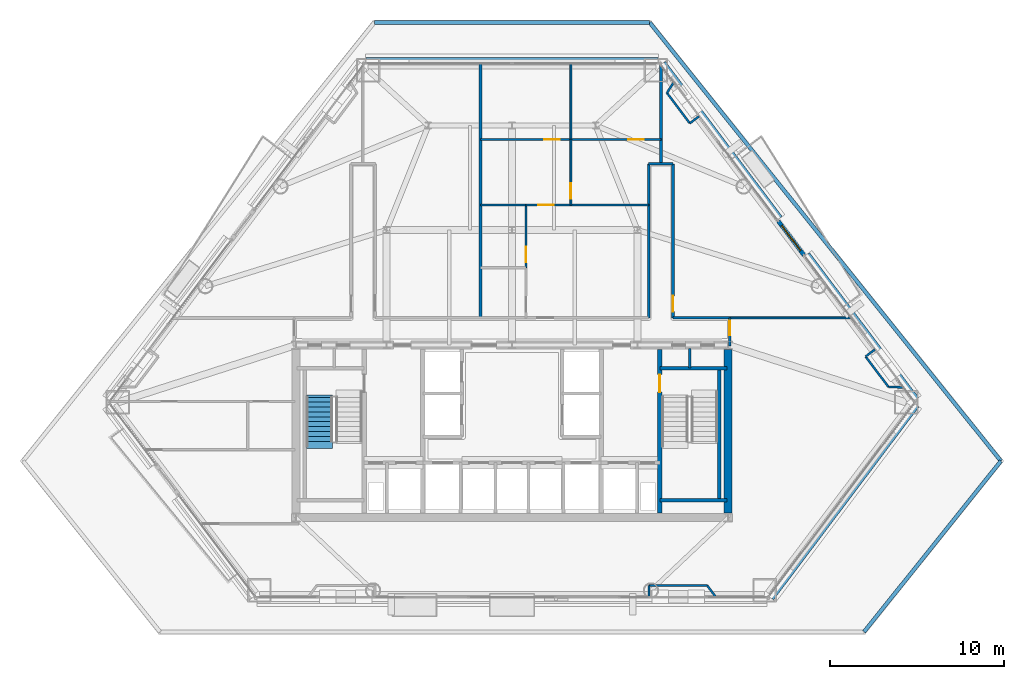
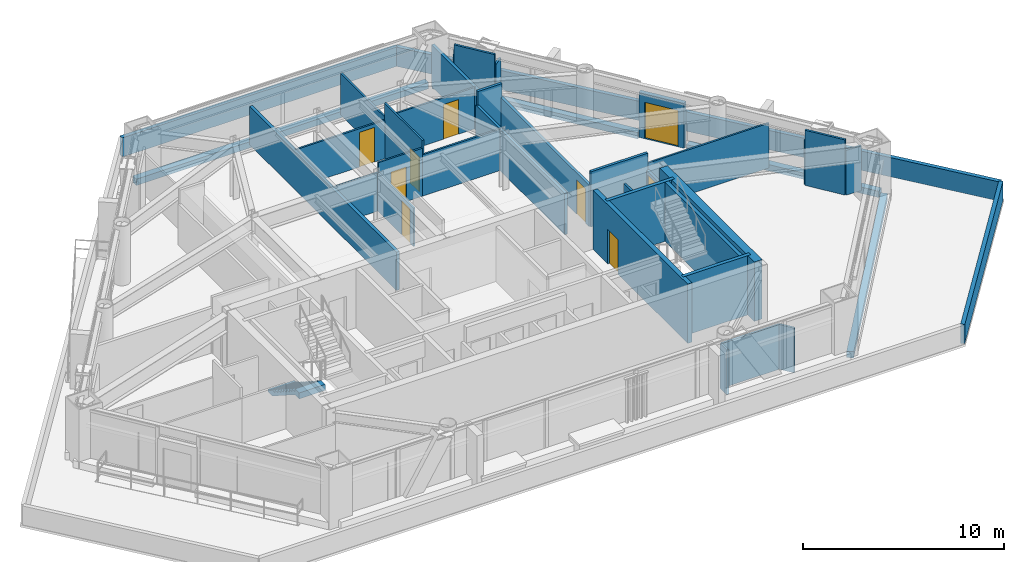
# One storey, part 9 of 13: 39 walls, 9 doors, 1 stair flight, 9 openings, 1 element without a shape of its own.
"""IFC4 building model written with IfcOpenShell, lengths in metres."""

from ifc_helpers import new_model, si_unit, direction, frame, frame_2d, origin, place, context, subcontext, project, spatial, polyline, rectangle, outline, extrude, material, layer, layer_set, type_object, element, fill, aggregate, save


model = new_model("IFC4")

# Units and contexts
model_context = context("Model", 3, precision=1e-05, world=origin(), true_north=direction((0.0, 1.0)))
body_context = subcontext(model_context, "Body", "Model", "MODEL_VIEW")
ifc_project = project(units=[si_unit("LENGTHUNIT", "METRE"), si_unit("AREAUNIT", "SQUARE_METRE"), si_unit("VOLUMEUNIT", "CUBIC_METRE"), si_unit("PLANEANGLEUNIT", "RADIAN"), si_unit("MASSUNIT", "GRAM", prefix="KILO")], contexts=[model_context])

# Site, building, storey
site_placement = place(None, origin())
site = spatial("IfcSite", under=ifc_project, at=site_placement, CompositionType="ELEMENT")
building_placement = place(site_placement, origin())
building = spatial("IfcBuilding", under=site, at=building_placement, Name="Talgorran Terracotta Tower", CompositionType="ELEMENT")
storey_placement = place(building_placement, frame((0.0, 0.0, 24.300048828125)))
storey = spatial("IfcBuildingStorey", under=building, at=storey_placement, Name="L05", CompositionType="ELEMENT", Elevation=24.300048828125)

# Wall, opening, door
ifc_material_1 = material(Name="Concrete C40/50", Category="concrete")
ifc_layer_1 = layer(ifc_material_1, 0.239990234375, Name="WT_BALCONY_SPAND")
ifc_layer_set_1 = layer_set([ifc_layer_1], Name="Concrete C40/50")
wall_type_1 = type_object("IfcWallType", Name="WT_BALCONY_SPAND", PredefinedType="STANDARD", material=ifc_layer_set_1)
wall_1_placement = place(storey_placement, frame((16.753173828125, 0.968505859375, -0.01513671875), z_axis=(0.0, 0.0, 1.0), x_axis=(-0.601871511513, 0.798592939882, 0.0)))
wall_1 = element("IfcWall", 1, at=wall_1_placement, inside=storey, type_object=wall_type_1, Name="WL-L05-BALP-BAL-NE", PredefinedType="STANDARD", context=body_context, shape_type="SweptSolid", body=[
    extrude(rectangle(XDim=2.43994140625, YDim=0.239990234375, at=frame_2d((1.219970703125, 0.0))), origin(), (0.0, 0.0, 1.0), 2.728515625),
])
opening_1_placement = place(wall_1_placement, frame((0.320068359375, 0.0, 0.014892578125)))
opening_1 = element("IfcOpeningElement", 2, at=opening_1_placement, cuts=wall_1, Name="Opening D-BAL-L05-1", PredefinedType="OPENING", context=body_context, shape_type="SweptSolid", body=[
    extrude(rectangle(XDim=1.806048828125, YDim=2.203951171875, at=frame_2d((0.89990234375, 1.10205078125))), frame((0.0, 0.1298828125, 0.0), z_axis=(0.0, -1.0, 0.0), x_axis=(1.0, 0.0, 0.0)), (0.0, 0.0, 1.0), 0.260009765625),
])
ifc_material_2 = material(Name="Thermally Broken Aluminium", Category="aluminium")
door_type_1 = type_object("IfcDoorType", Name="DT_BALC_1800", OperationType="SLIDING_TO_LEFT", PredefinedType="DOOR", material=ifc_material_2)
door_1_placement = place(opening_1_placement, origin())
door_1 = element("IfcDoor", 3, at=door_1_placement, inside=storey, type_object=door_type_1, Name="DR-L05-BAL-BAL-NE", OperationType="SLIDING_TO_LEFT", OverallHeight=2.199951171875, OverallWidth=1.800048828125, PredefinedType="DOOR", context=body_context, shape_type="SweptSolid", body=[
    extrude(rectangle(XDim=1.800048828125, YDim=2.199951171875, at=frame_2d((0.89990234375, 1.10009765625))), frame((0.0, 0.02490234375, 0.0), z_axis=(0.0, -1.0, 0.0), x_axis=(1.0, 0.0, 0.0)), (0.0, 0.0, 1.0), 0.050048828125),
])
fill(opening_1, door_1)

# Walls
ifc_material_3 = material(Name="Concrete C50/60", Category="concrete")
ifc_layer_2 = layer(ifc_material_3, 0.199951171875, Name="WT_CORE_200")
ifc_layer_set_2 = layer_set([ifc_layer_2], Name="Concrete C50/60")
wall_type_2 = type_object("IfcWallType", Name="WT_CORE_200", PredefinedType="SOLIDWALL", material=ifc_layer_set_2)
for number, where, z_axis, x_axis, name in (
    (4, (8.47998046875, -5.52001953125, 0.0), (0.0, 0.0, 1.0), (1.0, 0.0, 0.0), "WL-L05-CW-ST2-N"),
    (5, (8.47998046875, -13.10009765625, 0.0), (0.0, 0.0, 1.0), (1.0, 0.0, 0.0), "WL-L05-CW-ST2-S"),
):
    element("IfcWall", number, at=place(storey_placement, frame(where, z_axis=z_axis, x_axis=x_axis)), inside=storey, type_object=wall_type_2, Name=name, PredefinedType="SOLIDWALL", context=body_context, shape_type="SweptSolid", body=[
        extrude(rectangle(XDim=3.8701171875, YDim=0.199951171875, at=frame_2d((1.93505859375, 0.0))), origin(), (0.0, 0.0, 1.0), 3.599853515625),
    ])
wall_2_placement = place(storey_placement, frame((11.89990234375, -13.10009765625, 0.0), z_axis=(0.0, 0.0, 1.0), x_axis=(0.0, 1.0, 0.0)))
element("IfcWall", 6, at=wall_2_placement, inside=storey, type_object=wall_type_2, Name="WL-L05-CW-ST2-E", PredefinedType="SOLIDWALL", context=body_context, shape_type="SweptSolid", body=[
    extrude(rectangle(XDim=7.580078125, YDim=0.199951171875, at=frame_2d((3.7900390625, 0.0))), origin(), (0.0, 0.0, 1.0), 3.599853515625),
])

# Wall, opening, door
ifc_layer_3 = layer(ifc_material_3, 0.25, Name="WT_CORE_250")
ifc_layer_set_3 = layer_set([ifc_layer_3], Name="Concrete C50/60")
wall_type_3 = type_object("IfcWallType", Name="WT_CORE_250", PredefinedType="SHEAR", material=ifc_layer_set_3)
wall_3_placement = place(storey_placement, frame((8.47998046875, -13.85009765625, 0.0), z_axis=(0.0, 0.0, 1.0), x_axis=(0.0, 1.0, 0.0)))
wall_3 = element("IfcWall", 7, at=wall_3_placement, inside=storey, type_object=wall_type_3, Name="WL-L05-CW-V-E1", PredefinedType="SHEAR", context=body_context, shape_type="SweptSolid", body=[
    extrude(rectangle(XDim=9.400146484375, YDim=0.25, at=frame_2d((4.7001953125, 0.0))), origin(), (0.0, 0.0, 1.0), 3.599853515625),
])
opening_2_placement = place(wall_3_placement, frame((6.949951171875, 0.0, 0.0)))
opening_2 = element("IfcOpeningElement", 8, at=opening_2_placement, cuts=wall_3, Name="Opening DR-ST02", PredefinedType="OPENING", context=body_context, shape_type="SweptSolid", body=[
    extrude(rectangle(XDim=1.006, YDim=2.10409765625, at=frame_2d((0.5, 1.052001953125))), frame((0.0, 0.135009765625, 0.0), z_axis=(0.0, -1.0, 0.0), x_axis=(1.0, 0.0, 0.0)), (0.0, 0.0, 1.0), 0.27001953125),
])
ifc_material_4 = material(Name="Fire-Rated Pressed Steel", Category="steel")
door_type_2 = type_object("IfcDoorType", Name="DT_FIRE_1000", OperationType="NOTDEFINED", PredefinedType="DOOR", material=ifc_material_4)
door_2_placement = place(opening_2_placement, origin())
door_2 = element("IfcDoor", 9, at=door_2_placement, inside=storey, type_object=door_type_2, Name="DR-ST02", OperationType="SINGLE_SWING_RIGHT", OverallHeight=2.10009765625, OverallWidth=1.0, PredefinedType="DOOR", context=body_context, shape_type="SweptSolid", body=[
    extrude(rectangle(XDim=1.0, YDim=2.10009765625, at=frame_2d((0.5, 1.050048828125))), frame((0.0, 0.02490234375, 0.0), z_axis=(0.0, -1.0, 0.0), x_axis=(1.0, 0.0, 0.0)), (0.0, 0.0, 1.0), 0.050048828125),
])
fill(opening_2, door_2)

# Wall
ifc_material_5 = material(Name="Concrete C65/80", Category="concrete")
ifc_layer_4 = layer(ifc_material_5, 0.449951171875, Name="WT_CORE_EXT")
ifc_layer_set_4 = layer_set([ifc_layer_4], Name="Concrete C65/80")
wall_type_4 = type_object("IfcWallType", Name="WT_CORE_EXT", PredefinedType="SHEAR", material=ifc_layer_set_4)
wall_4_placement = place(storey_placement, frame((12.39990234375, -13.85009765625, 0.0), z_axis=(0.0, 0.0, 1.0), x_axis=(0.0, 1.0, 0.0)))
element("IfcWall", 10, at=wall_4_placement, inside=storey, type_object=wall_type_4, Name="WL-L05-CW-OUT-E", PredefinedType="SHEAR", context=body_context, shape_type="SweptSolid", body=[
    extrude(rectangle(XDim=9.400146484375, YDim=0.449951171875, at=frame_2d((4.7001953125, 0.0))), origin(), (0.0, 0.0, 1.0), 3.599853515625),
])

# Wall, opening, door
ifc_material_6 = material(Name="Fire-Rated Steel Stud Plasterboard", Category="steel")
ifc_layer_5 = layer(ifc_material_6, 0.14990234375, Name="WT_FIRE_150")
ifc_layer_set_5 = layer_set([ifc_layer_5], Name="Fire-Rated Steel Stud Plasterboard")
wall_type_5 = type_object("IfcWallType", Name="WT_FIRE_150", PredefinedType="PARTITIONING", material=ifc_layer_set_5)
wall_5_placement = place(storey_placement, frame((9.239990234375, -2.639892578125, 0.0), z_axis=(0.0, 0.0, 1.0), x_axis=(0.0, 1.0, 0.0)))
wall_5 = element("IfcWall", 11, at=wall_5_placement, inside=storey, type_object=wall_type_5, Name="WL-L05-W-L05-R15", PredefinedType="PARTITIONING", context=body_context, shape_type="SweptSolid", body=[
    extrude(rectangle(XDim=8.83984375, YDim=0.14990234375, at=frame_2d((4.419921875, 0.0))), origin(), (0.0, 0.0, 1.0), 2.509033203125),
])
opening_3_placement = place(wall_5_placement, frame((0.359375, 0.0, 0.0)))
opening_3 = element("IfcOpeningElement", 12, at=opening_3_placement, cuts=wall_5, Name="Opening DR-L05-R15", PredefinedType="OPENING", context=body_context, shape_type="SweptSolid", body=[
    extrude(rectangle(XDim=0.90590234375, YDim=2.10409765625, at=frame_2d((0.449951171875, 1.052001953125))), frame((0.0, 0.0849609375, 0.0), z_axis=(0.0, -1.0, 0.0), x_axis=(1.0, 0.0, 0.0)), (0.0, 0.0, 1.0), 0.169921875),
])
ifc_material_7 = material(Name="Fire-Rated Timber Core", Category="wood")
door_type_3 = type_object("IfcDoorType", Name="DT_FIRE_900", OperationType="NOTDEFINED", PredefinedType="DOOR", material=ifc_material_7)
door_3_placement = place(opening_3_placement, origin())
door_3 = element("IfcDoor", 13, at=door_3_placement, inside=storey, type_object=door_type_3, Name="DR-L05-R15", OperationType="SINGLE_SWING_LEFT", OverallHeight=2.10009765625, OverallWidth=0.89990234375, PredefinedType="DOOR", context=body_context, shape_type="SweptSolid", body=[
    extrude(rectangle(XDim=0.89990234375, YDim=2.10009765625, at=frame_2d((0.449951171875, 1.050048828125))), frame((0.0, 0.02490234375, 0.0), z_axis=(0.0, -1.0, 0.0), x_axis=(1.0, 0.0, 0.0)), (0.0, 0.0, 1.0), 0.050048828125),
])
fill(opening_3, door_3)

# Walls
wall_6_placement = place(storey_placement, frame((7.840087890625, -2.639892578125, 0.0), z_axis=(0.0, 0.0, 1.0), x_axis=(0.0, 1.0, 0.0)))
element("IfcWall", 14, at=wall_6_placement, inside=storey, type_object=wall_type_5, Name="WL-L05-W-L05-R11", PredefinedType="PARTITIONING", context=body_context, shape_type="SweptSolid", body=[
    extrude(rectangle(XDim=8.83984375, YDim=0.14990234375, at=frame_2d((4.419921875, 0.0))), origin(), (0.0, 0.0, 1.0), 2.509033203125),
])
wall_7_placement = place(storey_placement, frame((9.239990234375, -2.639892578125, 0.0), z_axis=(0.0, 0.0, 1.0), x_axis=(1.0, 0.0, 0.0)))
element("IfcWall", 15, at=wall_7_placement, inside=storey, type_object=wall_type_5, Name="WL-L05-W-L05-R16", PredefinedType="PARTITIONING", context=body_context, shape_type="SweptSolid", body=[
    extrude(rectangle(XDim=3.260009765625, YDim=0.14990234375, at=frame_2d((1.6298828125, 0.0))), origin(), (0.0, 0.0, 1.0), 3.349853515625),
])

# Wall, opening, door
wall_8_placement = place(storey_placement, frame((12.5, -4.239990234375, 0.0), z_axis=(0.0, 0.0, 1.0), x_axis=(0.0, 1.0, 0.0)))
wall_8 = element("IfcWall", 16, at=wall_8_placement, inside=storey, type_object=wall_type_5, Name="WL-L05-W-L05-R02", PredefinedType="PARTITIONING", context=body_context, shape_type="SweptSolid", body=[
    extrude(rectangle(XDim=1.60009765625, YDim=0.14990234375, at=frame_2d((0.800048828125, 0.0))), origin(), (0.0, 0.0, 1.0), 2.324951171875),
])
opening_4_placement = place(wall_8_placement, frame((0.602294921875, 0.0, 0.0)))
opening_4 = element("IfcOpeningElement", 17, at=opening_4_placement, cuts=wall_8, Name="Opening DR-L05-R05", PredefinedType="OPENING", context=body_context, shape_type="SweptSolid", body=[
    extrude(rectangle(XDim=0.826068359375, YDim=2.10409765625, at=frame_2d((0.41015625, 1.052001953125))), frame((0.0, 0.0849609375, 0.0), z_axis=(0.0, -1.0, 0.0), x_axis=(1.0, 0.0, 0.0)), (0.0, 0.0, 1.0), 0.169921875),
])
ifc_material_8 = material(Name="Moisture-Resistant Solid Timber", Category="wood")
door_type_4 = type_object("IfcDoorType", Name="DT_INT_820", OperationType="NOTDEFINED", PredefinedType="DOOR", material=ifc_material_8)
door_4_placement = place(opening_4_placement, origin())
door_4 = element("IfcDoor", 18, at=door_4_placement, inside=storey, type_object=door_type_4, Name="DR-L05-R05", OperationType="SINGLE_SWING_LEFT", OverallHeight=2.10009765625, OverallWidth=0.820068359375, PredefinedType="DOOR", context=body_context, shape_type="SweptSolid", body=[
    extrude(rectangle(XDim=0.820068359375, YDim=2.10009765625, at=frame_2d((0.41015625, 1.050048828125))), frame((0.0, 0.02490234375, 0.0), z_axis=(0.0, -1.0, 0.0), x_axis=(1.0, 0.0, 0.0)), (0.0, 0.0, 1.0), 0.050048828125),
])
fill(opening_4, door_4)

# Walls
wall_9_placement = place(storey_placement, frame((7.840087890625, 6.199951171875, 0.0), z_axis=(0.0, 0.0, 1.0), x_axis=(1.0, 0.0, 0.0)))
element("IfcWall", 19, at=wall_9_placement, inside=storey, type_object=wall_type_5, Name="WL-L05-W-L05-R13", PredefinedType="PARTITIONING", context=body_context, shape_type="SweptSolid", body=[
    extrude(rectangle(XDim=1.39990234375, YDim=0.14990234375, at=frame_2d((0.699951171875, 0.0))), origin(), (0.0, 0.0, 1.0), 3.349853515625),
])
ifc_layer_6 = layer(ifc_material_1, 0.219970703125, Name="WT_PARAPET_RC")
ifc_layer_set_6 = layer_set([ifc_layer_6], Name="Concrete C40/50")
wall_type_6 = type_object("IfcWallType", Name="WT_PARAPET_RC", PredefinedType="PARAPET", material=ifc_layer_set_6)
wall_10_placement = place(storey_placement, frame((20.204833984375, -20.659912109375, -0.02001953125), z_axis=(0.0, 0.0, 1.0), x_axis=(0.625114512917, 0.780533052305, 0.0)))
element("IfcWall", 20, at=wall_10_placement, inside=storey, type_object=wall_type_6, Name="WL-L05-PARAPET-3", PredefinedType="PARAPET", context=body_context, shape_type="SweptSolid", body=[
    extrude(rectangle(XDim=12.560546875, YDim=0.219970703125, at=frame_2d((6.2802734375, 0.0))), origin(), (0.0, 0.0, 1.0), 1.169921875),
])
wall_11_placement = place(storey_placement, frame((28.056640625, -10.85595703125, -0.02001953125), z_axis=(0.0, 0.0, 1.0), x_axis=(-0.625118708534, 0.780529692094, 0.0)))
element("IfcWall", 21, at=wall_11_placement, inside=storey, type_object=wall_type_6, Name="WL-L05-PARAPET-4", PredefinedType="PARAPET", context=body_context, shape_type="SweptSolid", body=[
    extrude(rectangle(XDim=32.249755859375, YDim=0.219970703125, at=frame_2d((16.125, 0.0))), origin(), (0.0, 0.0, 1.0), 1.169921875),
])
wall_12_placement = place(storey_placement, frame((7.896728515625, 14.31591796875, -0.02001953125), z_axis=(0.0, 0.0, 1.0), x_axis=(-1.0, 0.0, 0.0)))
element("IfcWall", 22, at=wall_12_placement, inside=storey, type_object=wall_type_6, Name="WL-L05-PARAPET-5", PredefinedType="PARAPET", context=body_context, shape_type="SweptSolid", body=[
    extrude(rectangle(XDim=15.79345703125, YDim=0.219970703125, at=frame_2d((7.896728515625, 0.0))), origin(), (0.0, 0.0, 1.0), 1.169921875),
])
wall_13_placement = place(storey_placement, frame((14.871337890625, -18.71240234375, -0.199951171875), z_axis=(0.0, 0.0, 1.0), x_axis=(0.601806248796, 0.798642121923, 0.0)))
element("IfcWall", 23, at=wall_13_placement, inside=storey, type_object=wall_type_6, Name="L05 Striped Portal Precast Cornice F2", PredefinedType="PARAPET", context=body_context, shape_type="SweptSolid", body=[
    extrude(rectangle(XDim=13.850830078125, YDim=0.360107421875, at=frame_2d((6.92529296875, 0.0))), origin(), (0.0, 0.0, 1.0), 0.3798828125),
])
wall_14_placement = place(storey_placement, frame((23.182861328125, -7.29833984375, -0.199951171875), z_axis=(0.0, 0.0, 1.0), x_axis=(-0.601808287056, 0.798640586015, 0.0)))
element("IfcWall", 24, at=wall_14_placement, inside=storey, type_object=wall_type_6, Name="L05 Striped Portal Precast Cornice F40", PredefinedType="PARAPET", context=body_context, shape_type="SweptSolid", body=[
    extrude(rectangle(XDim=10.3818359375, YDim=0.360107421875, at=frame_2d((5.19091796875, 0.0))), origin(), (0.0, 0.0, 1.0), 0.3798828125),
])
wall_15_placement = place(storey_placement, frame((15.3583984375, 3.085205078125, -0.199951171875), z_axis=(0.0, 0.0, 1.0), x_axis=(-0.601810079758, 0.798639235138, 0.0)))
element("IfcWall", 25, at=wall_15_placement, inside=storey, type_object=wall_type_6, Name="L05 Striped Portal Precast Cornice F41", PredefinedType="PARAPET", context=body_context, shape_type="SweptSolid", body=[
    extrude(rectangle(XDim=11.126220703125, YDim=0.360107421875, at=frame_2d((5.56298828125, 0.0))), origin(), (0.0, 0.0, 1.0), 0.3798828125),
])
wall_16_placement = place(storey_placement, frame((8.382568359375, 12.13037109375, -0.199951171875), z_axis=(0.0, 0.0, 1.0), x_axis=(-1.0, 0.0, 0.0)))
element("IfcWall", 26, at=wall_16_placement, inside=storey, type_object=wall_type_6, Name="L05 Striped Portal Precast Cornice F4", PredefinedType="PARAPET", context=body_context, shape_type="SweptSolid", body=[
    extrude(rectangle(XDim=16.76513671875, YDim=0.360107421875, at=frame_2d((8.382568359375, 0.0))), origin(), (0.0, 0.0, 1.0), 0.3798828125),
])
ifc_material_9 = material(Name="Acoustic Stud and Plasterboard")
ifc_layer_7 = layer(ifc_material_9, 0.179931640625, Name="WT_PARTY_200")
ifc_layer_set_7 = layer_set([ifc_layer_7], Name="Acoustic Stud and Plasterboard")
wall_type_7 = type_object("IfcWallType", Name="WT_PARTY_200", PredefinedType="PARTITIONING", material=ifc_layer_set_7)
wall_17_placement = place(storey_placement, frame((-1.800048828125, -2.639892578125, 0.0), z_axis=(0.0, 0.0, 1.0), x_axis=(0.0, 1.0, 0.0)))
element("IfcWall", 27, at=wall_17_placement, inside=storey, type_object=wall_type_7, Name="WL-L05-W-L05-R29", PredefinedType="PARTITIONING", context=body_context, shape_type="SweptSolid", body=[
    extrude(rectangle(XDim=14.6103515625, YDim=0.179931640625, at=frame_2d((7.30517578125, 0.0))), origin(), (0.0, 0.0, 1.0), 2.324951171875),
])
wall_18_placement = place(storey_placement, frame((8.56005859375, 6.199951171875, 0.0), z_axis=(0.0, 0.0, 1.0), x_axis=(0.0, 1.0, 0.0)))
element("IfcWall", 28, at=wall_18_placement, inside=storey, type_object=wall_type_7, Name="WL-L05-W-L05-R41", PredefinedType="PARTITIONING", context=body_context, shape_type="SweptSolid", body=[
    extrude(rectangle(XDim=5.64111328125, YDim=0.179931640625, at=frame_2d((2.820556640625, 0.0))), origin(), (0.0, 0.0, 1.0), 2.509033203125),
])
ifc_material_10 = material(Name="Lightweight Steel Stud Partition", Category="steel")
ifc_layer_8 = layer(ifc_material_10, 0.10498046875, Name="WT_PART_110")
ifc_layer_set_8 = layer_set([ifc_layer_8], Name="Lightweight Steel Stud Partition")
wall_type_8 = type_object("IfcWallType", Name="WT_PART_110", PredefinedType="PARTITIONING", material=ifc_layer_set_8)
wall_19_placement = place(storey_placement, frame((12.5, -2.639892578125, 0.0), z_axis=(0.0, 0.0, 1.0), x_axis=(1.0, 0.0, 0.0)))
element("IfcWall", 29, at=wall_19_placement, inside=storey, type_object=wall_type_8, Name="WL-L05-W-L05-R24", PredefinedType="PARTITIONING", context=body_context, shape_type="SweptSolid", body=[
    extrude(rectangle(XDim=6.972412109375, YDim=0.10498046875, at=frame_2d((3.486328125, 0.0))), origin(), (0.0, 0.0, 1.0), 2.71337890625),
])

# Wall, opening, door
wall_20_placement = place(storey_placement, frame((3.3798828125, 7.60009765625, 0.0), z_axis=(0.0, 0.0, 1.0), x_axis=(1.0, 0.0, 0.0)))
wall_20 = element("IfcWall", 30, at=wall_20_placement, inside=storey, type_object=wall_type_8, Name="WL-L05-W-L05-R39", PredefinedType="PARTITIONING", context=body_context, shape_type="SweptSolid", body=[
    extrude(rectangle(XDim=5.18017578125, YDim=0.10498046875, at=frame_2d((2.590087890625, 0.0))), origin(), (0.0, 0.0, 1.0), 2.509033203125),
])
opening_5_placement = place(wall_20_placement, frame((3.30419921875, 0.0, 0.0)))
opening_5 = element("IfcOpeningElement", 31, at=opening_5_placement, cuts=wall_20, Name="Opening DR-L05-R14", PredefinedType="OPENING", context=body_context, shape_type="SweptSolid", body=[
    extrude(rectangle(XDim=0.8858828125, YDim=2.10409765625, at=frame_2d((0.43994140625, 1.052001953125))), frame((0.0, 0.0625, 0.0), z_axis=(0.0, -1.0, 0.0), x_axis=(1.0, 0.0, 0.0)), (0.0, 0.0, 1.0), 0.125),
])
ifc_material_11 = material(Name="Solid-Core Painted Timber", Category="wood")
door_type_5 = type_object("IfcDoorType", Name="DT_INT_880", OperationType="NOTDEFINED", PredefinedType="DOOR", material=ifc_material_11)
door_5_placement = place(opening_5_placement, origin())
door_5 = element("IfcDoor", 32, at=door_5_placement, inside=storey, type_object=door_type_5, Name="DR-L05-R14", OperationType="SINGLE_SWING_RIGHT", OverallHeight=2.10009765625, OverallWidth=0.8798828125, PredefinedType="DOOR", context=body_context, shape_type="SweptSolid", body=[
    extrude(rectangle(XDim=0.8798828125, YDim=2.10009765625, at=frame_2d((0.43994140625, 1.050048828125))), frame((0.0, 0.02490234375, 0.0), z_axis=(0.0, -1.0, 0.0), x_axis=(1.0, 0.0, 0.0)), (0.0, 0.0, 1.0), 0.050048828125),
])
fill(opening_5, door_5)

wall_21_placement = place(storey_placement, frame((-1.800048828125, 7.60009765625, 0.0), z_axis=(0.0, 0.0, 1.0), x_axis=(1.0, 0.0, 0.0)))
wall_21 = element("IfcWall", 33, at=wall_21_placement, inside=storey, type_object=wall_type_8, Name="WL-L05-W-L05-R36", PredefinedType="PARTITIONING", context=body_context, shape_type="SweptSolid", body=[
    extrude(rectangle(XDim=5.179931640625, YDim=0.10498046875, at=frame_2d((2.58984375, 0.0))), origin(), (0.0, 0.0, 1.0), 2.324951171875),
])
opening_6_placement = place(wall_21_placement, frame((3.66259765625, 0.0, 0.0)))
opening_6 = element("IfcOpeningElement", 34, at=opening_6_placement, cuts=wall_21, Name="Opening DR-L05-R12", PredefinedType="OPENING", context=body_context, shape_type="SweptSolid", body=[
    extrude(rectangle(XDim=0.8858828125, YDim=2.10409765625, at=frame_2d((0.43994140625, 1.052001953125))), frame((0.0, 0.0625, 0.0), z_axis=(0.0, -1.0, 0.0), x_axis=(1.0, 0.0, 0.0)), (0.0, 0.0, 1.0), 0.125),
])
door_6_placement = place(opening_6_placement, origin())
door_6 = element("IfcDoor", 35, at=door_6_placement, inside=storey, type_object=door_type_5, Name="DR-L05-R12", OperationType="SINGLE_SWING_RIGHT", OverallHeight=2.10009765625, OverallWidth=0.8798828125, PredefinedType="DOOR", context=body_context, shape_type="SweptSolid", body=[
    extrude(rectangle(XDim=0.8798828125, YDim=2.10009765625, at=frame_2d((0.43994140625, 1.050048828125))), frame((0.0, 0.02490234375, 0.0), z_axis=(0.0, -1.0, 0.0), x_axis=(1.0, 0.0, 0.0)), (0.0, 0.0, 1.0), 0.050048828125),
])
fill(opening_6, door_6)

# Walls
wall_22_placement = place(storey_placement, frame((3.320068359375, 3.840087890625, 0.0), z_axis=(0.0, 0.0, 1.0), x_axis=(1.0, 0.0, 0.0)))
element("IfcWall", 36, at=wall_22_placement, inside=storey, type_object=wall_type_8, Name="WL-L05-W-L05-R35", PredefinedType="PARTITIONING", context=body_context, shape_type="SweptSolid", body=[
    extrude(rectangle(XDim=4.52001953125, YDim=0.10498046875, at=frame_2d((2.260009765625, 0.0))), origin(), (0.0, 0.0, 1.0), 2.509033203125),
])
wall_23_placement = place(storey_placement, frame((3.3798828125, 7.60009765625, 0.0), z_axis=(0.0, 0.0, 1.0), x_axis=(0.0, 1.0, 0.0)))
element("IfcWall", 37, at=wall_23_placement, inside=storey, type_object=wall_type_8, Name="WL-L05-W-L05-R38", PredefinedType="PARTITIONING", context=body_context, shape_type="SweptSolid", body=[
    extrude(rectangle(XDim=4.370361328125, YDim=0.10498046875, at=frame_2d((2.18505859375, 0.0))), origin(), (0.0, 0.0, 1.0), 2.509033203125),
])

# Wall, opening, door
wall_24_placement = place(storey_placement, frame((3.3798828125, 3.840087890625, 0.0), z_axis=(0.0, 0.0, 1.0), x_axis=(0.0, 1.0, 0.0)))
wall_24 = element("IfcWall", 38, at=wall_24_placement, inside=storey, type_object=wall_type_8, Name="WL-L05-W-L05-R37", PredefinedType="PARTITIONING", context=body_context, shape_type="SweptSolid", body=[
    extrude(rectangle(XDim=3.760009765625, YDim=0.10498046875, at=frame_2d((1.8798828125, 0.0))), origin(), (0.0, 0.0, 1.0), 3.349853515625),
])
opening_7_placement = place(wall_24_placement, frame((0.360107421875, 0.0, 0.0)))
opening_7 = element("IfcOpeningElement", 39, at=opening_7_placement, cuts=wall_24, Name="Opening DR-L05-R13", PredefinedType="OPENING", context=body_context, shape_type="SweptSolid", body=[
    extrude(rectangle(XDim=0.8858828125, YDim=2.10409765625, at=frame_2d((0.43994140625, 1.052001953125))), frame((0.0, 0.0625, 0.0), z_axis=(0.0, -1.0, 0.0), x_axis=(1.0, 0.0, 0.0)), (0.0, 0.0, 1.0), 0.125),
])
door_7_placement = place(opening_7_placement, origin())
door_7 = element("IfcDoor", 40, at=door_7_placement, inside=storey, type_object=door_type_5, Name="DR-L05-R13", OperationType="SINGLE_SWING_LEFT", OverallHeight=2.10009765625, OverallWidth=0.8798828125, PredefinedType="DOOR", context=body_context, shape_type="SweptSolid", body=[
    extrude(rectangle(XDim=0.8798828125, YDim=2.10009765625, at=frame_2d((0.43994140625, 1.050048828125))), frame((0.0, 0.02490234375, 0.0), z_axis=(0.0, -1.0, 0.0), x_axis=(1.0, 0.0, 0.0)), (0.0, 0.0, 1.0), 0.050048828125),
])
fill(opening_7, door_7)

wall_25_placement = place(storey_placement, frame((0.800048828125, 0.239990234375, 0.0), z_axis=(0.0, 0.0, 1.0), x_axis=(0.0, 1.0, 0.0)))
wall_25 = element("IfcWall", 41, at=wall_25_placement, inside=storey, type_object=wall_type_8, Name="WL-L05-W-L05-R32", PredefinedType="PARTITIONING", context=body_context, shape_type="SweptSolid", body=[
    extrude(rectangle(XDim=3.60009765625, YDim=0.10498046875, at=frame_2d((1.800048828125, 0.0))), origin(), (0.0, 0.0, 1.0), 2.324951171875),
])
opening_8_placement = place(wall_25_placement, frame((0.320068359375, 0.0, 0.0)))
opening_8 = element("IfcOpeningElement", 42, at=opening_8_placement, cuts=wall_25, Name="Opening DR-L05-R09", PredefinedType="OPENING", context=body_context, shape_type="SweptSolid", body=[
    extrude(rectangle(XDim=0.8858828125, YDim=2.10409765625, at=frame_2d((0.43994140625, 1.052001953125))), frame((0.0, 0.0625, 0.0), z_axis=(0.0, -1.0, 0.0), x_axis=(1.0, 0.0, 0.0)), (0.0, 0.0, 1.0), 0.125),
])
door_8_placement = place(opening_8_placement, origin())
door_8 = element("IfcDoor", 43, at=door_8_placement, inside=storey, type_object=door_type_5, Name="DR-L05-R09", OperationType="SINGLE_SWING_LEFT", OverallHeight=2.10009765625, OverallWidth=0.8798828125, PredefinedType="DOOR", context=body_context, shape_type="SweptSolid", body=[
    extrude(rectangle(XDim=0.8798828125, YDim=2.10009765625, at=frame_2d((0.43994140625, 1.050048828125))), frame((0.0, 0.02490234375, 0.0), z_axis=(0.0, -1.0, 0.0), x_axis=(1.0, 0.0, 0.0)), (0.0, 0.0, 1.0), 0.050048828125),
])
fill(opening_8, door_8)

wall_26_placement = place(storey_placement, frame((0.800048828125, 3.840087890625, 0.0), z_axis=(0.0, 0.0, 1.0), x_axis=(1.0, 0.0, 0.0)))
wall_26 = element("IfcWall", 44, at=wall_26_placement, inside=storey, type_object=wall_type_8, Name="WL-L05-W-L05-R34", PredefinedType="PARTITIONING", context=body_context, shape_type="SweptSolid", body=[
    extrude(rectangle(XDim=2.51806640625, YDim=0.10498046875, at=frame_2d((1.259033203125, 0.0))), origin(), (0.0, 0.0, 1.0), 2.91845703125),
])
opening_9_placement = place(wall_26_placement, frame((0.719970703125, 0.0, 0.0)))
opening_9 = element("IfcOpeningElement", 45, at=opening_9_placement, cuts=wall_26, Name="Opening DR-L05-R11", PredefinedType="OPENING", context=body_context, shape_type="SweptSolid", body=[
    extrude(rectangle(XDim=0.8858828125, YDim=2.10409765625, at=frame_2d((0.43994140625, 1.052001953125))), frame((0.0, 0.0625, 0.0), z_axis=(0.0, -1.0, 0.0), x_axis=(1.0, 0.0, 0.0)), (0.0, 0.0, 1.0), 0.125),
])
door_9_placement = place(opening_9_placement, origin())
door_9 = element("IfcDoor", 46, at=door_9_placement, inside=storey, type_object=door_type_5, Name="DR-L05-R11", OperationType="SINGLE_SWING_LEFT", OverallHeight=2.10009765625, OverallWidth=0.8798828125, PredefinedType="DOOR", context=body_context, shape_type="SweptSolid", body=[
    extrude(rectangle(XDim=0.8798828125, YDim=2.10009765625, at=frame_2d((0.43994140625, 1.050048828125))), frame((0.0, 0.02490234375, 0.0), z_axis=(0.0, -1.0, 0.0), x_axis=(1.0, 0.0, 0.0)), (0.0, 0.0, 1.0), 0.050048828125),
])
fill(opening_9, door_9)

# Walls
wall_27_placement = place(storey_placement, frame((-1.800048828125, 3.840087890625, 0.0), z_axis=(0.0, 0.0, 1.0), x_axis=(1.0, 0.0, 0.0)))
element("IfcWall", 47, at=wall_27_placement, inside=storey, type_object=wall_type_8, Name="WL-L05-W-L05-R33", PredefinedType="PARTITIONING", context=body_context, shape_type="SweptSolid", body=[
    extrude(rectangle(XDim=2.60009765625, YDim=0.10498046875, at=frame_2d((1.300048828125, 0.0))), origin(), (0.0, 0.0, 1.0), 2.324951171875),
])
ifc_material_12 = material(Name="Insulated Steel Stud Plasterboard", Category="steel")
ifc_layer_9 = layer(ifc_material_12, 0.1201171875, Name="WT_PART_120")
ifc_layer_set_9 = layer_set([ifc_layer_9], Name="Insulated Steel Stud Plasterboard")
wall_type_9 = type_object("IfcWallType", Name="WT_PART_120", PredefinedType="PARTITIONING", material=ifc_layer_set_9)
wall_28_placement = place(storey_placement, frame((10.199951171875, -5.52001953125, 0.0), z_axis=(0.0, 0.0, 1.0), x_axis=(0.0, 1.0, 0.0)))
element("IfcWall", 48, at=wall_28_placement, inside=storey, type_object=wall_type_9, Name="WL-L05-CW-CSE-DIV", PredefinedType="PARTITIONING", context=body_context, shape_type="SweptSolid", body=[
    extrude(rectangle(XDim=1.1201171875, YDim=0.1201171875, at=frame_2d((0.56005859375, 0.0))), origin(), (0.0, 0.0, 1.0), 3.349853515625),
])
wall_29_placement = place(storey_placement, frame((7.87158203125, -18.0, 0.0), z_axis=(0.0, 0.0, 1.0), x_axis=(1.0, 0.0, 0.0)))
element("IfcWall", 49, at=wall_29_placement, inside=storey, type_object=wall_type_9, Name="WL-L05-BW-L05-06", PredefinedType="PARTITIONING", context=body_context, shape_type="SweptSolid", body=[
    extrude(rectangle(XDim=3.334716796875, YDim=0.1201171875, at=frame_2d((1.66748046875, 0.0))), origin(), (0.0, 0.0, 1.0), 2.71337890625),
])
for number, where, z_axis, x_axis, name in (
    (50, (21.60498046875, -6.60009765625, 0.0), (0.0, 0.0, 1.0), (-0.601772594651, 0.798667480449, 0.0), "WL-L05-BW-L05-12"),
    (51, (10.20458984375, 8.52880859375, 0.0), (0.0, 0.0, 1.0), (-0.601844028436, 0.798613652172, 0.0), "WL-L05-BW-L05-17"),
):
    element("IfcWall", number, at=place(storey_placement, frame(where, z_axis=z_axis, x_axis=x_axis)), inside=storey, type_object=wall_type_9, Name=name, PredefinedType="PARTITIONING", context=body_context, shape_type="SweptSolid", body=[
        extrude(rectangle(XDim=2.179931640625, YDim=0.1201171875, at=frame_2d((1.08984375, 0.0))), origin(), (0.0, 0.0, 1.0), 3.349853515625),
    ])
wall_30_placement = place(storey_placement, frame((22.46630859375, -6.6298828125, 0.0), z_axis=(0.0, 0.0, 1.0), x_axis=(-0.999402630252, 0.034559841522, 0.0)))
element("IfcWall", 52, at=wall_30_placement, inside=storey, type_object=wall_type_9, Name="WL-L05-BW-L05-11", PredefinedType="PARTITIONING", context=body_context, shape_type="SweptSolid", body=[
    extrude(rectangle(XDim=0.86181640625, YDim=0.1201171875, at=frame_2d((0.430908203125, 0.0))), origin(), (0.0, 0.0, 1.0), 2.71337890625),
])
wall_31_placement = place(storey_placement, frame((11.206298828125, -18.0, 0.0), z_axis=(0.0, 0.0, 1.0), x_axis=(0.599813362113, -0.800139944404, 0.0)))
element("IfcWall", 53, at=wall_31_placement, inside=storey, type_object=wall_type_9, Name="WL-L05-BW-L05-04", PredefinedType="PARTITIONING", context=body_context, shape_type="SweptSolid", body=[
    extrude(rectangle(XDim=0.837158203125, YDim=0.1201171875, at=frame_2d((0.41845703125, 0.0))), origin(), (0.0, 0.0, 1.0), 2.71337890625),
])
wall_32_placement = place(storey_placement, frame((8.892578125, 10.269775390625, 0.0), z_axis=(0.0, 0.0, 1.0), x_axis=(0.537493641355, 0.84326780177, 0.0)))
element("IfcWall", 54, at=wall_32_placement, inside=storey, type_object=wall_type_9, Name="WL-L05-BW-L05-18", PredefinedType="PARTITIONING", context=body_context, shape_type="SweptSolid", body=[
    extrude(rectangle(XDim=0.71533203125, YDim=0.1201171875, at=frame_2d((0.357666015625, 0.0))), origin(), (0.0, 0.0, 1.0), 2.71337890625),
])
wall_33_placement = place(storey_placement, frame((20.293212890625, -4.859130859375, 0.0), z_axis=(0.0, 0.0, 1.0), x_axis=(0.798466789666, 0.602038857384, 0.0)))
element("IfcWall", 55, at=wall_33_placement, inside=storey, type_object=wall_type_9, Name="WL-L05-BW-L05-10", PredefinedType="PARTITIONING", context=body_context, shape_type="SweptSolid", body=[
    extrude(rectangle(XDim=0.669921875, YDim=0.1201171875, at=frame_2d((0.3349609375, 0.0))), origin(), (0.0, 0.0, 1.0), 2.71337890625),
])
wall_34_placement = place(storey_placement, frame((10.739501953125, 8.931884765625, 0.0), z_axis=(0.0, 0.0, 1.0), x_axis=(-0.798641978857, -0.601806438655, 0.0)))
element("IfcWall", 56, at=wall_34_placement, inside=storey, type_object=wall_type_9, Name="WL-L05-BW-L05-16", PredefinedType="PARTITIONING", context=body_context, shape_type="SweptSolid", body=[
    extrude(rectangle(XDim=0.669677734375, YDim=0.1201171875, at=frame_2d((0.3349609375, 0.0))), origin(), (0.0, 0.0, 1.0), 2.71337890625),
])
wall_35_placement = place(storey_placement, frame((7.87158203125, -18.669921875, 0.0), z_axis=(0.0, 0.0, 1.0), x_axis=(0.0, 1.0, 0.0)))
element("IfcWall", 57, at=wall_35_placement, inside=storey, type_object=wall_type_9, Name="WL-L05-BW-L05-05", PredefinedType="PARTITIONING", context=body_context, shape_type="SweptSolid", body=[
    extrude(rectangle(XDim=0.669921875, YDim=0.1201171875, at=frame_2d((0.3349609375, 0.0))), origin(), (0.0, 0.0, 1.0), 2.71337890625),
])

# Stair, stair flight
stair_type = type_object("IfcStairType", Name="ST_FIRE_SCISSOR", PredefinedType="HALF_TURN_STAIR", material=ifc_material_1)
stair_placement = place(storey_placement, origin())
stair = element("IfcStair", 58, at=stair_placement, inside=storey, type_object=stair_type, Name="L05 West Protected Fire Stair ST-01", PredefinedType="HALF_TURN_STAIR")
ifc_layer_10 = layer(ifc_material_1, 0.179931640625, Name="STF_RC_1500")
ifc_layer_set_10 = layer_set([ifc_layer_10], Name="Concrete C40/50")
stair_flight_type = type_object("IfcStairFlightType", Name="STF_RC_1500", PredefinedType="STRAIGHT", material=ifc_layer_set_10)
stair_flight_placement = place(storey_placement, frame((-11.050048828125, -7.199951171875, 0.0), z_axis=(0.0, 0.0, 1.0), x_axis=(0.0, -1.0, 0.0)))
stair_flight = element("IfcStairFlight", 59, at=stair_flight_placement, type_object=stair_flight_type, Name="ST-01 flight 1", NumberOfRisers=10, NumberOfTreads=9, PredefinedType="STRAIGHT", RiserHeight=0.18, TreadLength=0.28, context=body_context, shape_type="SweptSolid", body=[
    extrude(outline(polyline([(-0.139892578125, 0.0), (-0.139892578125, 0.179931640625), (0.0, 0.179931640625), (0.280029296875, 0.360107421875), (0.56005859375, 0.360107421875), (0.56005859375, 0.5400390625), (0.840087890625, 0.5400390625), (0.840087890625, 0.719970703125), (1.1201171875, 0.719970703125), (1.1201171875, 0.89990234375), (1.39990234375, 0.89990234375), (1.39990234375, 1.080078125), (1.679931640625, 1.080078125), (1.679931640625, 1.260009765625), (1.9599609375, 1.260009765625), (1.9599609375, 1.43994140625), (2.239990234375, 1.43994140625), (2.239990234375, 1.6201171875), (2.52001953125, 1.6201171875), (2.52001953125, 1.800048828125), (2.93994140625, 1.800048828125), (2.93994140625, 1.44189453125), (2.52001953125, 1.44189453125), (0.277099609375, 0.0), (-0.139892578125, 0.0)])), frame((0.0, 0.75, 0.0), z_axis=(0.0, -1.0, 0.0), x_axis=(1.0, 0.0, 0.0)), (0.0, 0.0, 1.0), 1.5),
])
aggregate(stair, [stair_flight])

save(model, "model.ifc")
